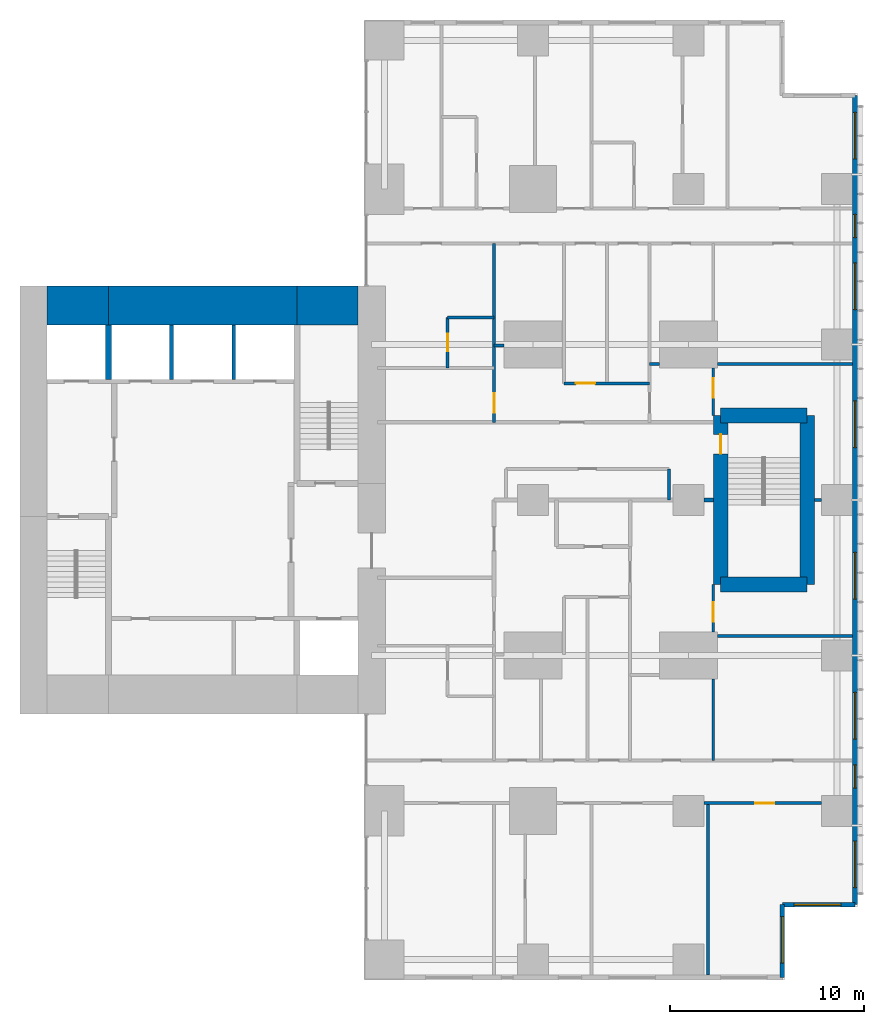
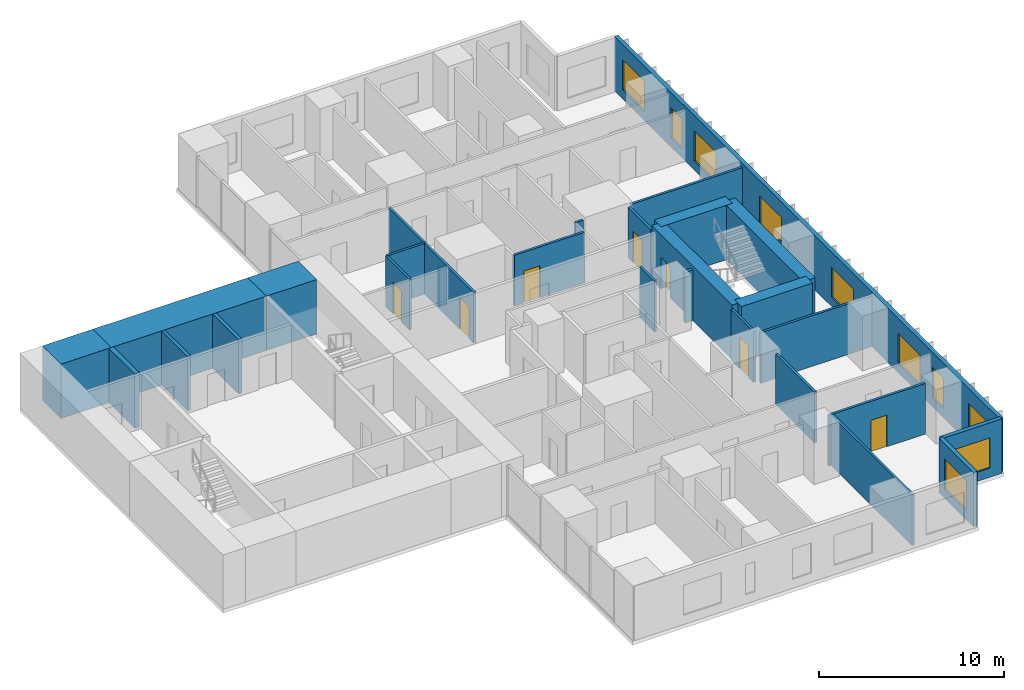
# One storey, part 9 of 12: 29 walls, 10 windows, 7 doors, 17 openings.
"""IFC4 building model written with IfcOpenShell, lengths in metres."""

import ifcopenshell
import ifcopenshell.guid

model = None  # the IFC model being written
_history = None  # IfcOwnerHistory: only IFC2X3 demands one
_inside = {}  # id of a spatial element -> (the spatial element, [elements in it])
_under = {}  # id of a project, library or spatial element -> (it, [spatial elements below it])
_declared = {}  # id of a project -> (the project, [libraries it declares])
_typed = {}  # id of a type object -> (the type object, [elements of that type])
_made_of = {}  # id of a material, layer set ... -> (it, [elements and type objects made of it])


def new_model(schema):
    """Start an empty IFC model of exactly this schema.

    Asked for "IFC4X3", IfcOpenShell would pick the latest addendum, in which some entities
    have other attributes; the version numbers below select the first issue.
    IFC2X3 requires an IfcOwnerHistory on every rooted entity: one is made here for all.
    """
    global model, _history
    if schema == "IFC4X3":
        model = ifcopenshell.file(schema_version=(4, 3, 0, 0))
    else:
        model = ifcopenshell.file(schema=schema)
    _inside.clear()
    _under.clear()
    _declared.clear()
    _typed.clear()
    _made_of.clear()
    _history = None
    if model.schema == "IFC2X3":
        org = make("IfcOrganization", Name="unknown")
        user = make(
            "IfcPersonAndOrganization",
            ThePerson=make("IfcPerson", FamilyName="unknown"),
            TheOrganization=org,
        )
        app = make(
            "IfcApplication",
            ApplicationDeveloper=org,
            Version="unknown",
            ApplicationFullName="unknown",
            ApplicationIdentifier="unknown",
        )
        _history = make(
            "IfcOwnerHistory",
            OwningUser=user,
            OwningApplication=app,
            ChangeAction="ADDED",
            CreationDate=0,
        )
    return model


def make(cls, **values):
    """One entity of the class cls with the attributes given. An attribute that is None is left unset."""
    return model.create_entity(
        cls, **{name: value for name, value in values.items() if value is not None}
    )


def rooted(cls, **values):
    """An entity with a GlobalId (a new one), such as an element, a storey or a relation."""
    return make(cls, GlobalId=ifcopenshell.guid.new(), OwnerHistory=_history, **values)


def si_unit(unit_type, name, prefix=None):
    """IfcSIUnit, for example si_unit("LENGTHUNIT", "METRE", prefix="MILLI")."""
    return make("IfcSIUnit", UnitType=unit_type, Prefix=prefix, Name=name)


def assignment(units):
    """IfcUnitAssignment: the units of a project."""
    return None if units is None else make("IfcUnitAssignment", Units=units)


def point(xyz):
    """IfcCartesianPoint."""
    return None if xyz is None else make("IfcCartesianPoint", Coordinates=xyz)


def direction(xyz):
    """IfcDirection."""
    return None if xyz is None else make("IfcDirection", DirectionRatios=xyz)


def frame(location, z_axis=None, x_axis=None):
    """IfcAxis2Placement3D, a coordinate frame: its origin and axes. An axis left out is left unset."""
    return make(
        "IfcAxis2Placement3D",
        Location=point(location),
        Axis=direction(z_axis),
        RefDirection=direction(x_axis),
    )


def frame_2d(location, x_axis=None):
    """IfcAxis2Placement2D, a coordinate frame in the plane: its origin and x axis."""
    return make(
        "IfcAxis2Placement2D", Location=point(location), RefDirection=direction(x_axis)
    )


def origin():
    """The frame at (0, 0, 0) with its axes left unset."""
    return frame((0.0, 0.0, 0.0))


def place(relative_to, where):
    """IfcLocalPlacement: puts the frame where relative to a parent placement (None: the world)."""
    return make(
        "IfcLocalPlacement", PlacementRelTo=relative_to, RelativePlacement=where
    )


def context(
    kind, dimensions, precision=None, world=None, true_north=None, identifier=None
):
    """IfcGeometricRepresentationContext, for example the 3D "Model" context."""
    return make(
        "IfcGeometricRepresentationContext",
        ContextIdentifier=identifier,
        ContextType=kind,
        CoordinateSpaceDimension=dimensions,
        Precision=precision,
        WorldCoordinateSystem=world,
        TrueNorth=true_north,
    )


def subcontext(parent, identifier, kind, view, scale=None):
    """IfcGeometricRepresentationSubContext, for example "Body" below "Model"."""
    return make(
        "IfcGeometricRepresentationSubContext",
        ContextIdentifier=identifier,
        ContextType=kind,
        ParentContext=parent,
        TargetScale=scale,
        TargetView=view,
    )


def project(units=None, contexts=None):
    """IfcProject with its units and contexts."""
    return rooted(
        "IfcProject",
        Name="project",
        RepresentationContexts=contexts,
        UnitsInContext=assignment(units),
    )


def spatial(cls, under=None, at=None, **own):
    """A site, building, storey or space (cls), placed at a placement, below another one or the project."""
    s = rooted(cls, ObjectPlacement=at, **own)
    if under is not None:
        _under.setdefault(under.id(), (under, []))[1].append(s)
    return s


def profile(cls, at=None, kind="AREA", **sizes):
    """A parametric profile (cls). Its sizes go by their IFC names, for example OverallWidth=200.0."""
    return make(cls, ProfileType=kind, Position=at, **sizes)


def rectangle(**sizes):
    """IfcRectangleProfileDef."""
    return profile("IfcRectangleProfileDef", **sizes)


def extrude(swept, where, along, depth):
    """IfcExtrudedAreaSolid: the profile swept, set in the frame where, extruded along a direction by depth."""
    return make(
        "IfcExtrudedAreaSolid",
        SweptArea=swept,
        Position=where,
        ExtrudedDirection=direction(along),
        Depth=depth,
    )


def shape(context_of_items, identifier, shape_type, items):
    """IfcShapeRepresentation: the items that make up one representation, for example the "Body"."""
    return make(
        "IfcShapeRepresentation",
        ContextOfItems=context_of_items,
        RepresentationIdentifier=identifier,
        RepresentationType=shape_type,
        Items=items,
    )


def material(Name=None, Category=None):
    """IfcMaterial."""
    return make("IfcMaterial", Name=Name, Category=Category)


def layer(
    of_material, thickness, ventilated=None, Name=None, Category=None, Priority=None
):
    """IfcMaterialLayer: one layer of a wall or slab, of a material (None: an air gap)."""
    return make(
        "IfcMaterialLayer",
        Material=of_material,
        LayerThickness=thickness,
        IsVentilated=ventilated,
        Name=Name,
        Category=Category,
        Priority=Priority,
    )


def layer_set(layers, Name=None):
    """IfcMaterialLayerSet."""
    return make("IfcMaterialLayerSet", MaterialLayers=layers, LayerSetName=Name)


def made_of(thing, what):
    """Note that an element or type object is made of a material, layer set ...; save() writes the relation."""
    if what is not None:
        _made_of.setdefault(what.id(), (what, []))[1].append(thing)
    return thing


def type_object(cls, material=None, **own):
    """A type object (cls), such as IfcWallType, which elements share."""
    return made_of(rooted(cls, **own), material)


def element(
    cls,
    number,
    at=None,
    inside=None,
    cuts=None,
    type_object=None,
    material=None,
    context=None,
    identifier="Body",
    shape_type=None,
    held_by="IfcProductDefinitionShape",
    body=None,
    shapes=None,
    **own,
):
    """One element of the class cls, such as IfcWall. Its Tag is "e" and its number.

    at: its placement. inside: the storey or other place that contains it. cuts: it is an
    opening in that element (IfcRelVoidsElement). A single representation is given by context,
    identifier, shape_type and body (its items); several are given by shapes. held_by: the class
    of the entity that holds the representations. save() writes the other relations.
    """
    e = rooted(cls, Tag="e%d" % number, ObjectPlacement=at, **own)
    if body is not None:
        shapes = [shape(context, identifier, shape_type, body)]
    if shapes is not None:
        e.Representation = make(held_by, Representations=shapes)
    if inside is not None:
        _inside.setdefault(inside.id(), (inside, []))[1].append(e)
    if cuts is not None:
        rooted(
            "IfcRelVoidsElement", RelatingBuildingElement=cuts, RelatedOpeningElement=e
        )
    if type_object is not None:
        _typed.setdefault(type_object.id(), (type_object, []))[1].append(e)
    return made_of(e, material)


def fill(opening, filler):
    """IfcRelFillsElement: the door or window that sits in an opening."""
    return rooted(
        "IfcRelFillsElement",
        RelatingOpeningElement=opening,
        RelatedBuildingElement=filler,
    )


def aggregate(whole, parts):
    """IfcRelAggregates: a whole, such as a stair, and the parts it consists of."""
    return rooted("IfcRelAggregates", RelatingObject=whole, RelatedObjects=parts)


def save(model, path):
    """Write the relations noted so far, then the file.

    IfcRelAggregates (storeys below a building ...), IfcRelContainedInSpatialStructure (elements
    in a storey), IfcRelDefinesByType, IfcRelAssociatesMaterial and IfcRelDeclares: one each for
    every whole, place, type object, material and project.
    """
    for whole, parts in _under.values():
        aggregate(whole, parts)
    for where, things in _inside.values():
        rooted(
            "IfcRelContainedInSpatialStructure",
            RelatedElements=things,
            RelatingStructure=where,
        )
    for kind, things in _typed.values():
        rooted("IfcRelDefinesByType", RelatedObjects=things, RelatingType=kind)
    for what, things in _made_of.values():
        rooted("IfcRelAssociatesMaterial", RelatedObjects=things, RelatingMaterial=what)
    for by, libraries in _declared.values():
        rooted("IfcRelDeclares", RelatingContext=by, RelatedDefinitions=libraries)
    model.write(path)


model = new_model("IFC4")

# Units and contexts
model_context = context("Model", 3, precision=1e-05, world=origin(), true_north=direction((0.0, 1.0)))
body_context = subcontext(model_context, "Body", "Model", "MODEL_VIEW")
ifc_project = project(units=[si_unit("LENGTHUNIT", "METRE"), si_unit("AREAUNIT", "SQUARE_METRE"), si_unit("VOLUMEUNIT", "CUBIC_METRE"), si_unit("PLANEANGLEUNIT", "RADIAN"), si_unit("MASSUNIT", "GRAM", prefix="KILO")], contexts=[model_context])

# Site, building, storey
site_placement = place(None, origin())
site = spatial("IfcSite", under=ifc_project, at=site_placement, CompositionType="ELEMENT")
building_placement = place(site_placement, origin())
building = spatial("IfcBuilding", under=site, at=building_placement, Name="Cleftline Residences", CompositionType="ELEMENT")
storey_placement = place(building_placement, frame((0.0, 0.0, 241.199951171875)))
storey = spatial("IfcBuildingStorey", under=building, at=storey_placement, Name="L63", CompositionType="ELEMENT", Elevation=241.199951171875)

# Walls
ifc_material_1 = material(Name="Concrete B70", Category="concrete")
ifc_layer_1 = layer(ifc_material_1, 2.0)
ifc_layer_set_1 = layer_set([ifc_layer_1], Name="CORE WALL 2000")
wall_type_1 = type_object("IfcWallType", Name="CORE WALL 2000", PredefinedType="SHEAR", material=ifc_layer_set_1)
wall_1_placement = place(storey_placement, frame((25.0, 34.0, 0.0), z_axis=(0.0, 0.0, 1.0), x_axis=(1.0, 0.0, 0.0)))
element("IfcWall", 1, at=wall_1_placement, inside=storey, type_object=wall_type_1, Name="Core wall N1", PredefinedType="SHEAR", context=body_context, shape_type="SweptSolid", body=[
    extrude(rectangle(XDim=3.14990234375, YDim=2.0, at=frame_2d((1.574951171875, 0.0))), origin(), (0.0, 0.0, 1.0), 3.60009765625),
])
wall_2_placement = place(storey_placement, frame((28.14990234375, 34.0, 0.0), z_axis=(0.0, 0.0, 1.0), x_axis=(1.0, 0.0, 0.0)))
element("IfcWall", 2, at=wall_2_placement, inside=storey, type_object=wall_type_1, Name="Core wall N2", PredefinedType="SHEAR", context=body_context, shape_type="SweptSolid", body=[
    extrude(rectangle(XDim=9.7001953125, YDim=2.0, at=frame_2d((4.85009765625, 0.0))), origin(), (0.0, 0.0, 1.0), 3.60009765625),
])
wall_3_placement = place(storey_placement, frame((37.85009765625, 34.0, 0.0), z_axis=(0.0, 0.0, 1.0), x_axis=(1.0, 0.0, 0.0)))
element("IfcWall", 3, at=wall_3_placement, inside=storey, type_object=wall_type_1, Name="Core wall N3", PredefinedType="SHEAR", context=body_context, shape_type="SweptSolid", body=[
    extrude(rectangle(XDim=3.14990234375, YDim=2.0, at=frame_2d((1.574951171875, 0.0))), origin(), (0.0, 0.0, 1.0), 3.60009765625),
])
ifc_material_2 = material(Name="Concrete B70", Category="concrete")
ifc_layer_2 = layer(ifc_material_2, 0.300048828125)
ifc_layer_set_2 = layer_set([ifc_layer_2], Name="CORE WALL 300")
wall_type_2 = type_object("IfcWallType", Name="CORE WALL 300", PredefinedType="SHEAR", material=ifc_layer_set_2)
wall_4_placement = place(storey_placement, frame((28.14990234375, 30.199951171875, 0.0), z_axis=(0.0, 0.0, 1.0), x_axis=(0.0, 1.0, 0.0)))
element("IfcWall", 4, at=wall_4_placement, inside=storey, type_object=wall_type_2, Name="Lift shaft wall", PredefinedType="SHEAR", context=body_context, shape_type="SweptSolid", body=[
    extrude(rectangle(XDim=2.800048828125, YDim=0.300048828125, at=frame_2d((1.39990234375, 0.0))), origin(), (0.0, 0.0, 1.0), 3.60009765625),
])

# Wall, opening, window
ifc_material_3 = material(Name="Rendered reinforced concrete blockwork", Category="masonry")
ifc_layer_3 = layer(ifc_material_3, 0.25)
ifc_layer_set_3 = layer_set([ifc_layer_3], Name="EXTERNAL WALL 250")
wall_type_3 = type_object("IfcWallType", Name="EXTERNAL WALL 250", PredefinedType="SOLIDWALL", material=ifc_layer_set_3)
wall_5_placement = place(storey_placement, frame((62.824951171875, -0.574951171875, 0.0), z_axis=(0.0, 0.0, 1.0), x_axis=(0.0, 1.0, 0.0)))
wall_5 = element("IfcWall", 5, at=wall_5_placement, inside=storey, type_object=wall_type_3, Name="External wall", PredefinedType="SOLIDWALL", context=body_context, shape_type="SweptSolid", body=[
    extrude(rectangle(XDim=3.75, YDim=0.25, at=frame_2d((1.875, 0.0))), origin(), (0.0, 0.0, 1.0), 3.60009765625),
])
opening_1_placement = place(wall_5_placement, frame((0.737548828125, 0.0, 0.60009765625)))
opening_1 = element("IfcOpeningElement", 6, at=opening_1_placement, cuts=wall_5, Name="Opening W6", PredefinedType="OPENING", context=body_context, shape_type="SweptSolid", body=[
    extrude(rectangle(XDim=2.39990234375, YDim=2.0, at=frame_2d((1.199951171875, 1.0))), frame((0.0, 0.135009765625, 0.0), z_axis=(0.0, -1.0, 0.0), x_axis=(1.0, 0.0, 0.0)), (0.0, 0.0, 1.0), 0.27001953125),
])
ifc_material_4 = material(Name="Aluminium frame, clear double glazing", Category="aluminium")
window_type_1 = type_object("IfcWindowType", Name="WINDOW 2400X2000", PartitioningType="DOUBLE_PANEL_VERTICAL", PredefinedType="WINDOW", material=ifc_material_4)
window_1_placement = place(opening_1_placement, origin())
window_1 = element("IfcWindow", 7, at=window_1_placement, inside=storey, type_object=window_type_1, Name="Window", OverallHeight=2.0, OverallWidth=2.39990234375, PartitioningType="SINGLE_PANEL", PredefinedType="WINDOW", context=body_context, shape_type="SweptSolid", body=[
    extrude(rectangle(XDim=2.39990234375, YDim=2.0, at=frame_2d((1.199951171875, 1.0))), frame((0.0, 0.030029296875, 0.0), z_axis=(0.0, -1.0, 0.0), x_axis=(1.0, 0.0, 0.0)), (0.0, 0.0, 1.0), 0.06005859375),
])
fill(opening_1, window_1)

wall_6_placement = place(storey_placement, frame((62.824951171875, 3.175048828125, 0.0), z_axis=(0.0, 0.0, 1.0), x_axis=(1.0, 0.0, 0.0)))
wall_6 = element("IfcWall", 8, at=wall_6_placement, inside=storey, type_object=wall_type_3, Name="External wall", PredefinedType="SOLIDWALL", context=body_context, shape_type="SweptSolid", body=[
    extrude(rectangle(XDim=3.75, YDim=0.25, at=frame_2d((1.875, 0.0))), origin(), (0.0, 0.0, 1.0), 3.60009765625),
])
opening_2_placement = place(wall_6_placement, frame((0.612548828125, 0.0, 0.60009765625)))
opening_2 = element("IfcOpeningElement", 9, at=opening_2_placement, cuts=wall_6, Name="Opening W6", PredefinedType="OPENING", context=body_context, shape_type="SweptSolid", body=[
    extrude(rectangle(XDim=2.39990234375, YDim=2.0, at=frame_2d((1.199951171875, 1.0))), frame((0.0, 0.135009765625, 0.0), z_axis=(0.0, -1.0, 0.0), x_axis=(1.0, 0.0, 0.0)), (0.0, 0.0, 1.0), 0.27001953125),
])
window_2_placement = place(opening_2_placement, origin())
window_2 = element("IfcWindow", 10, at=window_2_placement, inside=storey, type_object=window_type_1, Name="Window", OverallHeight=2.0, OverallWidth=2.39990234375, PartitioningType="SINGLE_PANEL", PredefinedType="WINDOW", context=body_context, shape_type="SweptSolid", body=[
    extrude(rectangle(XDim=2.39990234375, YDim=2.0, at=frame_2d((1.199951171875, 1.0))), frame((0.0, 0.030029296875, 0.0), z_axis=(0.0, -1.0, 0.0), x_axis=(1.0, 0.0, 0.0)), (0.0, 0.0, 1.0), 0.06005859375),
])
fill(opening_2, window_2)

# Wall, openings, windows
wall_7_placement = place(storey_placement, frame((66.574951171875, 3.175048828125, 0.0), z_axis=(0.0, 0.0, 1.0), x_axis=(0.0, 1.0, 0.0)))
wall_7 = element("IfcWall", 11, at=wall_7_placement, inside=storey, type_object=wall_type_3, Name="External wall", PredefinedType="SOLIDWALL", context=body_context, shape_type="SweptSolid", body=[
    extrude(rectangle(XDim=41.64990234375, YDim=0.25, at=frame_2d((20.824951171875, 0.0))), origin(), (0.0, 0.0, 1.0), 3.60009765625),
])
opening_3_placement = place(wall_7_placement, frame((0.875, 0.0, 0.60009765625)))
opening_3 = element("IfcOpeningElement", 12, at=opening_3_placement, cuts=wall_7, Name="Opening W6", PredefinedType="OPENING", context=body_context, shape_type="SweptSolid", body=[
    extrude(rectangle(XDim=2.39990234375, YDim=2.0, at=frame_2d((1.199951171875, 1.0))), frame((0.0, 0.135009765625, 0.0), z_axis=(0.0, -1.0, 0.0), x_axis=(1.0, 0.0, 0.0)), (0.0, 0.0, 1.0), 0.27001953125),
])
opening_4_placement = place(wall_7_placement, frame((6.0, 0.0, 0.60009765625)))
opening_4 = element("IfcOpeningElement", 13, at=opening_4_placement, cuts=wall_7, Name="Opening W8", PredefinedType="OPENING", context=body_context, shape_type="SweptSolid", body=[
    extrude(rectangle(XDim=1.199951171875, YDim=2.0, at=frame_2d((0.60009765625, 1.0))), frame((0.0, 0.135009765625, 0.0), z_axis=(0.0, -1.0, 0.0), x_axis=(1.0, 0.0, 0.0)), (0.0, 0.0, 1.0), 0.27001953125),
])
opening_5_placement = place(wall_7_placement, frame((8.52490234375, 0.0, 0.60009765625)))
opening_5 = element("IfcOpeningElement", 14, at=opening_5_placement, cuts=wall_7, Name="Opening W6", PredefinedType="OPENING", context=body_context, shape_type="SweptSolid", body=[
    extrude(rectangle(XDim=2.39990234375, YDim=2.0, at=frame_2d((1.199951171875, 1.0))), frame((0.0, 0.135009765625, 0.0), z_axis=(0.0, -1.0, 0.0), x_axis=(1.0, 0.0, 0.0)), (0.0, 0.0, 1.0), 0.27001953125),
])
opening_6_placement = place(wall_7_placement, frame((15.72509765625, 0.0, 0.60009765625)))
opening_6 = element("IfcOpeningElement", 15, at=opening_6_placement, cuts=wall_7, Name="Opening W6", PredefinedType="OPENING", context=body_context, shape_type="SweptSolid", body=[
    extrude(rectangle(XDim=2.39990234375, YDim=2.0, at=frame_2d((1.199951171875, 1.0))), frame((0.0, 0.135009765625, 0.0), z_axis=(0.0, -1.0, 0.0), x_axis=(1.0, 0.0, 0.0)), (0.0, 0.0, 1.0), 0.27001953125),
])
opening_7_placement = place(wall_7_placement, frame((23.52490234375, 0.0, 0.60009765625)))
opening_7 = element("IfcOpeningElement", 16, at=opening_7_placement, cuts=wall_7, Name="Opening W6", PredefinedType="OPENING", context=body_context, shape_type="SweptSolid", body=[
    extrude(rectangle(XDim=2.39990234375, YDim=2.0, at=frame_2d((1.199951171875, 1.0))), frame((0.0, 0.135009765625, 0.0), z_axis=(0.0, -1.0, 0.0), x_axis=(1.0, 0.0, 0.0)), (0.0, 0.0, 1.0), 0.27001953125),
])
opening_8_placement = place(wall_7_placement, frame((30.625, 0.0, 0.60009765625)))
opening_8 = element("IfcOpeningElement", 17, at=opening_8_placement, cuts=wall_7, Name="Opening W6", PredefinedType="OPENING", context=body_context, shape_type="SweptSolid", body=[
    extrude(rectangle(XDim=2.39990234375, YDim=2.0, at=frame_2d((1.199951171875, 1.0))), frame((0.0, 0.135009765625, 0.0), z_axis=(0.0, -1.0, 0.0), x_axis=(1.0, 0.0, 0.0)), (0.0, 0.0, 1.0), 0.27001953125),
])
opening_9_placement = place(wall_7_placement, frame((34.324951171875, 0.0, 0.60009765625)))
opening_9 = element("IfcOpeningElement", 18, at=opening_9_placement, cuts=wall_7, Name="Opening W8", PredefinedType="OPENING", context=body_context, shape_type="SweptSolid", body=[
    extrude(rectangle(XDim=1.199951171875, YDim=2.0, at=frame_2d((0.60009765625, 1.0))), frame((0.0, 0.135009765625, 0.0), z_axis=(0.0, -1.0, 0.0), x_axis=(1.0, 0.0, 0.0)), (0.0, 0.0, 1.0), 0.27001953125),
])
opening_10_placement = place(wall_7_placement, frame((38.375, 0.0, 0.60009765625)))
opening_10 = element("IfcOpeningElement", 19, at=opening_10_placement, cuts=wall_7, Name="Opening W6", PredefinedType="OPENING", context=body_context, shape_type="SweptSolid", body=[
    extrude(rectangle(XDim=2.39990234375, YDim=2.0, at=frame_2d((1.199951171875, 1.0))), frame((0.0, 0.135009765625, 0.0), z_axis=(0.0, -1.0, 0.0), x_axis=(1.0, 0.0, 0.0)), (0.0, 0.0, 1.0), 0.27001953125),
])
ifc_material_5 = material(Name="Aluminium frame, clear double glazing", Category="aluminium")
window_type_2 = type_object("IfcWindowType", Name="WINDOW 1200X2000", PartitioningType="DOUBLE_PANEL_VERTICAL", PredefinedType="WINDOW", material=ifc_material_5)
window_3_placement = place(opening_4_placement, origin())
window_3 = element("IfcWindow", 20, at=window_3_placement, inside=storey, type_object=window_type_2, Name="Window", OverallHeight=2.0, OverallWidth=1.199951171875, PartitioningType="SINGLE_PANEL", PredefinedType="WINDOW", context=body_context, shape_type="SweptSolid", body=[
    extrude(rectangle(XDim=1.199951171875, YDim=2.0, at=frame_2d((0.60009765625, 1.0))), frame((0.0, 0.030029296875, 0.0), z_axis=(0.0, -1.0, 0.0), x_axis=(1.0, 0.0, 0.0)), (0.0, 0.0, 1.0), 0.06005859375),
])
fill(opening_4, window_3)
window_4_placement = place(opening_9_placement, origin())
window_4 = element("IfcWindow", 21, at=window_4_placement, inside=storey, type_object=window_type_2, Name="Window", OverallHeight=2.0, OverallWidth=1.199951171875, PartitioningType="SINGLE_PANEL", PredefinedType="WINDOW", context=body_context, shape_type="SweptSolid", body=[
    extrude(rectangle(XDim=1.199951171875, YDim=2.0, at=frame_2d((0.60009765625, 1.0))), frame((0.0, 0.030029296875, 0.0), z_axis=(0.0, -1.0, 0.0), x_axis=(1.0, 0.0, 0.0)), (0.0, 0.0, 1.0), 0.06005859375),
])
fill(opening_9, window_4)
window_5_placement = place(opening_3_placement, origin())
window_5 = element("IfcWindow", 22, at=window_5_placement, inside=storey, type_object=window_type_1, Name="Window", OverallHeight=2.0, OverallWidth=2.39990234375, PartitioningType="SINGLE_PANEL", PredefinedType="WINDOW", context=body_context, shape_type="SweptSolid", body=[
    extrude(rectangle(XDim=2.39990234375, YDim=2.0, at=frame_2d((1.199951171875, 1.0))), frame((0.0, 0.030029296875, 0.0), z_axis=(0.0, -1.0, 0.0), x_axis=(1.0, 0.0, 0.0)), (0.0, 0.0, 1.0), 0.06005859375),
])
fill(opening_3, window_5)
window_6_placement = place(opening_5_placement, origin())
window_6 = element("IfcWindow", 23, at=window_6_placement, inside=storey, type_object=window_type_1, Name="Window", OverallHeight=2.0, OverallWidth=2.39990234375, PartitioningType="SINGLE_PANEL", PredefinedType="WINDOW", context=body_context, shape_type="SweptSolid", body=[
    extrude(rectangle(XDim=2.39990234375, YDim=2.0, at=frame_2d((1.199951171875, 1.0))), frame((0.0, 0.030029296875, 0.0), z_axis=(0.0, -1.0, 0.0), x_axis=(1.0, 0.0, 0.0)), (0.0, 0.0, 1.0), 0.06005859375),
])
fill(opening_5, window_6)
window_7_placement = place(opening_6_placement, origin())
window_7 = element("IfcWindow", 24, at=window_7_placement, inside=storey, type_object=window_type_1, Name="Window", OverallHeight=2.0, OverallWidth=2.39990234375, PartitioningType="SINGLE_PANEL", PredefinedType="WINDOW", context=body_context, shape_type="SweptSolid", body=[
    extrude(rectangle(XDim=2.39990234375, YDim=2.0, at=frame_2d((1.199951171875, 1.0))), frame((0.0, 0.030029296875, 0.0), z_axis=(0.0, -1.0, 0.0), x_axis=(1.0, 0.0, 0.0)), (0.0, 0.0, 1.0), 0.06005859375),
])
fill(opening_6, window_7)
window_8_placement = place(opening_7_placement, origin())
window_8 = element("IfcWindow", 25, at=window_8_placement, inside=storey, type_object=window_type_1, Name="Window", OverallHeight=2.0, OverallWidth=2.39990234375, PartitioningType="SINGLE_PANEL", PredefinedType="WINDOW", context=body_context, shape_type="SweptSolid", body=[
    extrude(rectangle(XDim=2.39990234375, YDim=2.0, at=frame_2d((1.199951171875, 1.0))), frame((0.0, 0.030029296875, 0.0), z_axis=(0.0, -1.0, 0.0), x_axis=(1.0, 0.0, 0.0)), (0.0, 0.0, 1.0), 0.06005859375),
])
fill(opening_7, window_8)
window_9_placement = place(opening_8_placement, origin())
window_9 = element("IfcWindow", 26, at=window_9_placement, inside=storey, type_object=window_type_1, Name="Window", OverallHeight=2.0, OverallWidth=2.39990234375, PartitioningType="SINGLE_PANEL", PredefinedType="WINDOW", context=body_context, shape_type="SweptSolid", body=[
    extrude(rectangle(XDim=2.39990234375, YDim=2.0, at=frame_2d((1.199951171875, 1.0))), frame((0.0, 0.030029296875, 0.0), z_axis=(0.0, -1.0, 0.0), x_axis=(1.0, 0.0, 0.0)), (0.0, 0.0, 1.0), 0.06005859375),
])
fill(opening_8, window_9)
window_10_placement = place(opening_10_placement, origin())
window_10 = element("IfcWindow", 27, at=window_10_placement, inside=storey, type_object=window_type_1, Name="Window", OverallHeight=2.0, OverallWidth=2.39990234375, PartitioningType="SINGLE_PANEL", PredefinedType="WINDOW", context=body_context, shape_type="SweptSolid", body=[
    extrude(rectangle(XDim=2.39990234375, YDim=2.0, at=frame_2d((1.199951171875, 1.0))), frame((0.0, 0.030029296875, 0.0), z_axis=(0.0, -1.0, 0.0), x_axis=(1.0, 0.0, 0.0)), (0.0, 0.0, 1.0), 0.06005859375),
])
fill(opening_10, window_10)

# Wall
ifc_material_6 = material(Name="Concrete blockwork, fire rated", Category="masonry")
ifc_layer_4 = layer(ifc_material_6, 0.199951171875)
ifc_layer_set_4 = layer_set([ifc_layer_4], Name="FIRE WALL 200")
wall_type_4 = type_object("IfcWallType", Name="FIRE WALL 200", PredefinedType="PARTITIONING", material=ifc_layer_set_4)
wall_8_placement = place(storey_placement, frame((58.800048828125, 24.0, 0.0), z_axis=(0.0, 0.0, 1.0), x_axis=(1.0, 0.0, 0.0)))
element("IfcWall", 28, at=wall_8_placement, inside=storey, type_object=wall_type_4, Name="Fire separating wall", PredefinedType="PARTITIONING", context=body_context, shape_type="SweptSolid", body=[
    extrude(rectangle(XDim=0.474853515625, YDim=0.199951171875, at=frame_2d((0.2373046875, 0.0))), origin(), (0.0, 0.0, 1.0), 3.35009765625),
])

# Wall, opening, door
ifc_material_7 = material(Name="Gypsum board on steel studs", Category="steel")
ifc_layer_5 = layer(ifc_material_7, 0.14990234375)
ifc_layer_set_5 = layer_set([ifc_layer_5], Name="PARTITION 150")
wall_type_5 = type_object("IfcWallType", Name="PARTITION 150", PredefinedType="PARTITIONING", material=ifc_layer_set_5)
wall_9_placement = place(storey_placement, frame((58.800048828125, 8.39990234375, 0.0), z_axis=(0.0, 0.0, 1.0), x_axis=(1.0, 0.0, 0.0)))
wall_9 = element("IfcWall", 29, at=wall_9_placement, inside=storey, type_object=wall_type_5, Name="Partition", PredefinedType="PARTITIONING", context=body_context, shape_type="SweptSolid", body=[
    extrude(rectangle(XDim=6.050048828125, YDim=0.14990234375, at=frame_2d((3.02490234375, 0.0))), origin(), (0.0, 0.0, 1.0), 3.35009765625),
])
opening_11_placement = place(wall_9_placement, frame((2.625, 0.0, 0.0)))
opening_11 = element("IfcOpeningElement", 30, at=opening_11_placement, cuts=wall_9, Name="Opening D2", PredefinedType="OPENING", context=body_context, shape_type="SweptSolid", body=[
    extrude(rectangle(XDim=1.0, YDim=2.10009765625, at=frame_2d((0.5, 1.050048828125))), frame((0.0, 0.0849609375, 0.0), z_axis=(0.0, -1.0, 0.0), x_axis=(1.0, 0.0, 0.0)), (0.0, 0.0, 1.0), 0.169921875),
])
ifc_material_8 = material(Name="Timber veneer on solid core", Category="wood")
door_type_1 = type_object("IfcDoorType", Name="DOOR 1000X2100", OperationType="SINGLE_SWING_LEFT", PredefinedType="DOOR", material=ifc_material_8)
door_1_placement = place(opening_11_placement, origin())
door_1 = element("IfcDoor", 31, at=door_1_placement, inside=storey, type_object=door_type_1, Name="Door to music room", OperationType="SINGLE_SWING_LEFT", OverallHeight=2.10009765625, OverallWidth=1.0, PredefinedType="DOOR", context=body_context, shape_type="SweptSolid", body=[
    extrude(rectangle(XDim=1.0, YDim=2.10009765625, at=frame_2d((0.5, 1.050048828125))), frame((0.0, 0.02490234375, 0.0), z_axis=(0.0, -1.0, 0.0), x_axis=(1.0, 0.0, 0.0)), (0.0, 0.0, 1.0), 0.050048828125),
])
fill(opening_11, door_1)

# Walls
wall_10_placement = place(storey_placement, frame((59.5, 17.0, 0.0), z_axis=(0.0, 0.0, 1.0), x_axis=(1.0, 0.0, 0.0)))
element("IfcWall", 32, at=wall_10_placement, inside=storey, type_object=wall_type_5, Name="Partition", PredefinedType="PARTITIONING", context=body_context, shape_type="SweptSolid", body=[
    extrude(rectangle(XDim=6.949951171875, YDim=0.14990234375, at=frame_2d((3.47509765625, 0.0))), origin(), (0.0, 0.0, 1.0), 3.35009765625),
])
wall_11_placement = place(storey_placement, frame((64.47509765625, 24.0, 0.0), z_axis=(0.0, 0.0, 1.0), x_axis=(1.0, 0.0, 0.0)))
element("IfcWall", 33, at=wall_11_placement, inside=storey, type_object=wall_type_5, Name="Partition", PredefinedType="PARTITIONING", context=body_context, shape_type="SweptSolid", body=[
    extrude(rectangle(XDim=0.375, YDim=0.14990234375, at=frame_2d((0.1875, 0.0))), origin(), (0.0, 0.0, 1.0), 3.35009765625),
])

# Wall, opening, door
wall_12_placement = place(storey_placement, frame((51.60009765625, 30.0, 0.0), z_axis=(0.0, 0.0, 1.0), x_axis=(1.0, 0.0, 0.0)))
wall_12 = element("IfcWall", 34, at=wall_12_placement, inside=storey, type_object=wall_type_5, Name="Partition", PredefinedType="PARTITIONING", context=body_context, shape_type="SweptSolid", body=[
    extrude(rectangle(XDim=4.39990234375, YDim=0.14990234375, at=frame_2d((2.199951171875, 0.0))), origin(), (0.0, 0.0, 1.0), 3.35009765625),
])
opening_12_placement = place(wall_12_placement, frame((0.60009765625, 0.0, 0.0)))
opening_12 = element("IfcOpeningElement", 35, at=opening_12_placement, cuts=wall_12, Name="Opening D2", PredefinedType="OPENING", context=body_context, shape_type="SweptSolid", body=[
    extrude(rectangle(XDim=1.0, YDim=2.10009765625, at=frame_2d((0.5, 1.050048828125))), frame((0.0, 0.0849609375, 0.0), z_axis=(0.0, -1.0, 0.0), x_axis=(1.0, 0.0, 0.0)), (0.0, 0.0, 1.0), 0.169921875),
])
door_2_placement = place(opening_12_placement, origin())
door_2 = element("IfcDoor", 36, at=door_2_placement, inside=storey, type_object=door_type_1, Name="Door to residence passage", OperationType="SINGLE_SWING_RIGHT", OverallHeight=2.10009765625, OverallWidth=1.0, PredefinedType="DOOR", context=body_context, shape_type="SweptSolid", body=[
    extrude(rectangle(XDim=1.0, YDim=2.10009765625, at=frame_2d((0.5, 1.050048828125))), frame((0.0, 0.02490234375, 0.0), z_axis=(0.0, -1.0, 0.0), x_axis=(1.0, 0.0, 0.0)), (0.0, 0.0, 1.0), 0.050048828125),
])
fill(opening_12, door_2)

# Walls
wall_13_placement = place(storey_placement, frame((56.0, 31.0, 0.0), z_axis=(0.0, 0.0, 1.0), x_axis=(1.0, 0.0, 0.0)))
element("IfcWall", 37, at=wall_13_placement, inside=storey, type_object=wall_type_5, Name="Partition", PredefinedType="PARTITIONING", context=body_context, shape_type="SweptSolid", body=[
    extrude(rectangle(XDim=0.5, YDim=0.14990234375, at=frame_2d((0.25, 0.0))), origin(), (0.0, 0.0, 1.0), 3.35009765625),
])
wall_14_placement = place(storey_placement, frame((59.5, 31.0, 0.0), z_axis=(0.0, 0.0, 1.0), x_axis=(1.0, 0.0, 0.0)))
element("IfcWall", 38, at=wall_14_placement, inside=storey, type_object=wall_type_5, Name="Partition", PredefinedType="PARTITIONING", context=body_context, shape_type="SweptSolid", body=[
    extrude(rectangle(XDim=6.949951171875, YDim=0.14990234375, at=frame_2d((3.47509765625, 0.0))), origin(), (0.0, 0.0, 1.0), 3.35009765625),
])
wall_15_placement = place(storey_placement, frame((48.0, 31.949951171875, 0.0), z_axis=(0.0, 0.0, 1.0), x_axis=(1.0, 0.0, 0.0)))
element("IfcWall", 39, at=wall_15_placement, inside=storey, type_object=wall_type_5, Name="Partition", PredefinedType="PARTITIONING", context=body_context, shape_type="SweptSolid", body=[
    extrude(rectangle(XDim=0.5, YDim=0.14990234375, at=frame_2d((0.25, 0.0))), origin(), (0.0, 0.0, 1.0), 2.634033203125),
])
wall_16_placement = place(storey_placement, frame((45.60009765625, 33.39990234375, 0.0), z_axis=(0.0, 0.0, 1.0), x_axis=(1.0, 0.0, 0.0)))
element("IfcWall", 40, at=wall_16_placement, inside=storey, type_object=wall_type_5, Name="Partition", PredefinedType="PARTITIONING", context=body_context, shape_type="SweptSolid", body=[
    extrude(rectangle(XDim=2.39990234375, YDim=0.14990234375, at=frame_2d((1.199951171875, 0.0))), origin(), (0.0, 0.0, 1.0), 3.35009765625),
])

# Wall, opening, door
wall_17_placement = place(storey_placement, frame((45.60009765625, 30.800048828125, 0.0), z_axis=(0.0, 0.0, 1.0), x_axis=(0.0, 1.0, 0.0)))
wall_17 = element("IfcWall", 41, at=wall_17_placement, inside=storey, type_object=wall_type_5, Name="Partition", PredefinedType="PARTITIONING", context=body_context, shape_type="SweptSolid", body=[
    extrude(rectangle(XDim=2.599853515625, YDim=0.14990234375, at=frame_2d((1.2998046875, 0.0))), origin(), (0.0, 0.0, 1.0), 3.35009765625),
])
opening_13_placement = place(wall_17_placement, frame((0.85009765625, 0.0, 0.0)))
opening_13 = element("IfcOpeningElement", 42, at=opening_13_placement, cuts=wall_17, Name="Opening D1", PredefinedType="OPENING", context=body_context, shape_type="SweptSolid", body=[
    extrude(rectangle(XDim=0.89990234375, YDim=2.10009765625, at=frame_2d((0.449951171875, 1.050048828125))), frame((0.0, 0.0849609375, 0.0), z_axis=(0.0, -1.0, 0.0), x_axis=(1.0, 0.0, 0.0)), (0.0, 0.0, 1.0), 0.169921875),
])
ifc_material_9 = material(Name="Timber veneer on solid core", Category="wood")
door_type_2 = type_object("IfcDoorType", Name="DOOR 900X2100", OperationType="SINGLE_SWING_LEFT", PredefinedType="DOOR", material=ifc_material_9)
door_3_placement = place(opening_13_placement, origin())
door_3 = element("IfcDoor", 43, at=door_3_placement, inside=storey, type_object=door_type_2, Name="Door to en-suite bathroom 4", OperationType="SINGLE_SWING_LEFT", OverallHeight=2.10009765625, OverallWidth=0.89990234375, PredefinedType="DOOR", context=body_context, shape_type="SweptSolid", body=[
    extrude(rectangle(XDim=0.89990234375, YDim=2.10009765625, at=frame_2d((0.449951171875, 1.050048828125))), frame((0.0, 0.02490234375, 0.0), z_axis=(0.0, -1.0, 0.0), x_axis=(1.0, 0.0, 0.0)), (0.0, 0.0, 1.0), 0.050048828125),
])
fill(opening_13, door_3)

wall_18_placement = place(storey_placement, frame((48.0, 28.0, 0.0), z_axis=(0.0, 0.0, 1.0), x_axis=(0.0, 1.0, 0.0)))
wall_18 = element("IfcWall", 44, at=wall_18_placement, inside=storey, type_object=wall_type_5, Name="Partition", PredefinedType="PARTITIONING", context=body_context, shape_type="SweptSolid", body=[
    extrude(rectangle(XDim=9.199951171875, YDim=0.14990234375, at=frame_2d((4.60009765625, 0.0))), origin(), (0.0, 0.0, 1.0), 3.35009765625),
])
opening_14_placement = place(wall_18_placement, frame((0.5, 0.0, 0.0)))
opening_14 = element("IfcOpeningElement", 45, at=opening_14_placement, cuts=wall_18, Name="Opening D2", PredefinedType="OPENING", context=body_context, shape_type="SweptSolid", body=[
    extrude(rectangle(XDim=1.0, YDim=2.10009765625, at=frame_2d((0.5, 1.050048828125))), frame((0.0, 0.0849609375, 0.0), z_axis=(0.0, -1.0, 0.0), x_axis=(1.0, 0.0, 0.0)), (0.0, 0.0, 1.0), 0.169921875),
])
door_4_placement = place(opening_14_placement, origin())
door_4 = element("IfcDoor", 46, at=door_4_placement, inside=storey, type_object=door_type_1, Name="Door to morning kitchen", OperationType="SINGLE_SWING_RIGHT", OverallHeight=2.10009765625, OverallWidth=1.0, PredefinedType="DOOR", context=body_context, shape_type="SweptSolid", body=[
    extrude(rectangle(XDim=1.0, YDim=2.10009765625, at=frame_2d((0.5, 1.050048828125))), frame((0.0, 0.02490234375, 0.0), z_axis=(0.0, -1.0, 0.0), x_axis=(1.0, 0.0, 0.0)), (0.0, 0.0, 1.0), 0.050048828125),
])
fill(opening_14, door_4)

# Walls
wall_19_placement = place(storey_placement, frame((57.0, 24.0, 0.0), z_axis=(0.0, 0.0, 1.0), x_axis=(0.0, 1.0, 0.0)))
element("IfcWall", 47, at=wall_19_placement, inside=storey, type_object=wall_type_5, Name="Partition", PredefinedType="PARTITIONING", context=body_context, shape_type="SweptSolid", body=[
    extrude(rectangle(XDim=1.60009765625, YDim=0.14990234375, at=frame_2d((0.800048828125, 0.0))), origin(), (0.0, 0.0, 1.0), 3.35009765625),
])
wall_20_placement = place(storey_placement, frame((59.0, -0.449951171875, 0.0), z_axis=(0.0, 0.0, 1.0), x_axis=(0.0, 1.0, 0.0)))
element("IfcWall", 48, at=wall_20_placement, inside=storey, type_object=wall_type_5, Name="Partition", PredefinedType="PARTITIONING", context=body_context, shape_type="SweptSolid", body=[
    extrude(rectangle(XDim=8.849853515625, YDim=0.14990234375, at=frame_2d((4.4248046875, 0.0))), origin(), (0.0, 0.0, 1.0), 3.35009765625),
])
wall_21_placement = place(storey_placement, frame((59.27490234375, 10.60009765625, 0.0), z_axis=(0.0, 0.0, 1.0), x_axis=(0.0, 1.0, 0.0)))
element("IfcWall", 49, at=wall_21_placement, inside=storey, type_object=wall_type_5, Name="Partition", PredefinedType="PARTITIONING", context=body_context, shape_type="SweptSolid", body=[
    extrude(rectangle(XDim=4.199951171875, YDim=0.14990234375, at=frame_2d((2.10009765625, 0.0))), origin(), (0.0, 0.0, 1.0), 3.35009765625),
])

# Wall, opening, door
wall_22_placement = place(storey_placement, frame((59.27490234375, 17.199951171875, 0.0), z_axis=(0.0, 0.0, 1.0), x_axis=(0.0, 1.0, 0.0)))
wall_22 = element("IfcWall", 50, at=wall_22_placement, inside=storey, type_object=wall_type_5, Name="Partition", PredefinedType="PARTITIONING", context=body_context, shape_type="SweptSolid", body=[
    extrude(rectangle(XDim=2.449951171875, YDim=0.14990234375, at=frame_2d((1.22509765625, 0.0))), origin(), (0.0, 0.0, 1.0), 3.35009765625),
])
opening_15_placement = place(wall_22_placement, frame((0.53759765625, 0.0, 0.0)))
opening_15 = element("IfcOpeningElement", 51, at=opening_15_placement, cuts=wall_22, Name="Opening D2", PredefinedType="OPENING", context=body_context, shape_type="SweptSolid", body=[
    extrude(rectangle(XDim=1.0, YDim=2.10009765625, at=frame_2d((0.5, 1.050048828125))), frame((0.0, 0.0849609375, 0.0), z_axis=(0.0, -1.0, 0.0), x_axis=(1.0, 0.0, 0.0)), (0.0, 0.0, 1.0), 0.169921875),
])
door_5_placement = place(opening_15_placement, origin())
door_5 = element("IfcDoor", 52, at=door_5_placement, inside=storey, type_object=door_type_1, Name="Door to altar room", OperationType="SINGLE_SWING_RIGHT", OverallHeight=2.10009765625, OverallWidth=1.0, PredefinedType="DOOR", context=body_context, shape_type="SweptSolid", body=[
    extrude(rectangle(XDim=1.0, YDim=2.10009765625, at=frame_2d((0.5, 1.050048828125))), frame((0.0, 0.02490234375, 0.0), z_axis=(0.0, -1.0, 0.0), x_axis=(1.0, 0.0, 0.0)), (0.0, 0.0, 1.0), 0.050048828125),
])
fill(opening_15, door_5)

wall_23_placement = place(storey_placement, frame((59.27490234375, 28.35009765625, 0.0), z_axis=(0.0, 0.0, 1.0), x_axis=(0.0, 1.0, 0.0)))
wall_23 = element("IfcWall", 53, at=wall_23_placement, inside=storey, type_object=wall_type_5, Name="Partition", PredefinedType="PARTITIONING", context=body_context, shape_type="SweptSolid", body=[
    extrude(rectangle(XDim=2.449951171875, YDim=0.14990234375, at=frame_2d((1.22509765625, 0.0))), origin(), (0.0, 0.0, 1.0), 3.35009765625),
])
opening_16_placement = place(wall_23_placement, frame((0.91259765625, 0.0, 0.0)))
opening_16 = element("IfcOpeningElement", 54, at=opening_16_placement, cuts=wall_23, Name="Opening D2", PredefinedType="OPENING", context=body_context, shape_type="SweptSolid", body=[
    extrude(rectangle(XDim=1.0, YDim=2.10009765625, at=frame_2d((0.5, 1.050048828125))), frame((0.0, 0.0849609375, 0.0), z_axis=(0.0, -1.0, 0.0), x_axis=(1.0, 0.0, 0.0)), (0.0, 0.0, 1.0), 0.169921875),
])
door_6_placement = place(opening_16_placement, origin())
door_6 = element("IfcDoor", 55, at=door_6_placement, inside=storey, type_object=door_type_1, Name="Door to altar room", OperationType="SINGLE_SWING_LEFT", OverallHeight=2.10009765625, OverallWidth=1.0, PredefinedType="DOOR", context=body_context, shape_type="SweptSolid", body=[
    extrude(rectangle(XDim=1.0, YDim=2.10009765625, at=frame_2d((0.5, 1.050048828125))), frame((0.0, 0.02490234375, 0.0), z_axis=(0.0, -1.0, 0.0), x_axis=(1.0, 0.0, 0.0)), (0.0, 0.0, 1.0), 0.050048828125),
])
fill(opening_16, door_6)

# Walls
ifc_material_10 = material(Name="Concrete blockwork, fire rated", Category="masonry")
ifc_layer_6 = layer(ifc_material_10, 0.199951171875)
ifc_layer_set_6 = layer_set([ifc_layer_6], Name="SHAFT WALL 200")
wall_type_6 = type_object("IfcWallType", Name="SHAFT WALL 200", PredefinedType="PARTITIONING", material=ifc_layer_set_6)
for number, where, z_axis, x_axis, name in (
    (56, (31.39990234375, 30.199951171875, 0.0), (0.0, 0.0, 1.0), (0.0, 1.0, 0.0), "Lift shaft wall"),
    (57, (34.60009765625, 30.199951171875, 0.0), (0.0, 0.0, 1.0), (0.0, 1.0, 0.0), "Lift shaft wall"),
):
    element("IfcWall", number, at=place(storey_placement, frame(where, z_axis=z_axis, x_axis=x_axis)), inside=storey, type_object=wall_type_6, Name=name, PredefinedType="PARTITIONING", context=body_context, shape_type="SweptSolid", body=[
        extrude(rectangle(XDim=2.800048828125, YDim=0.199951171875, at=frame_2d((1.39990234375, 0.0))), origin(), (0.0, 0.0, 1.0), 3.60009765625),
    ])
ifc_material_11 = material(Name="Concrete B70", Category="concrete")
ifc_layer_7 = layer(ifc_material_11, 0.75)
ifc_layer_set_7 = layer_set([ifc_layer_7], Name="SHEAR WALL 750")
wall_type_7 = type_object("IfcWallType", Name="SHEAR WALL 750", PredefinedType="SHEAR", material=ifc_layer_set_7)
wall_24_placement = place(storey_placement, frame((59.64990234375, 19.64990234375, 0.0), z_axis=(0.0, 0.0, 1.0), x_axis=(1.0, 0.0, 0.0)))
element("IfcWall", 58, at=wall_24_placement, inside=storey, type_object=wall_type_7, Name="Wing shear wall", PredefinedType="SHEAR", context=body_context, shape_type="SweptSolid", body=[
    extrude(rectangle(XDim=4.4501953125, YDim=0.75, at=frame_2d((2.22509765625, 0.0))), origin(), (0.0, 0.0, 1.0), 3.60009765625),
])
wall_25_placement = place(storey_placement, frame((64.10009765625, 19.64990234375, 0.0), z_axis=(0.0, 0.0, 1.0), x_axis=(0.0, 1.0, 0.0)))
element("IfcWall", 59, at=wall_25_placement, inside=storey, type_object=wall_type_7, Name="Wing shear wall", PredefinedType="SHEAR", context=body_context, shape_type="SweptSolid", body=[
    extrude(rectangle(XDim=8.7001953125, YDim=0.75, at=frame_2d((4.35009765625, 0.0))), origin(), (0.0, 0.0, 1.0), 3.60009765625),
])
wall_26_placement = place(storey_placement, frame((64.10009765625, 28.35009765625, 0.0), z_axis=(0.0, 0.0, 1.0), x_axis=(-1.0, 0.0, 0.0)))
element("IfcWall", 60, at=wall_26_placement, inside=storey, type_object=wall_type_7, Name="Wing shear wall", PredefinedType="SHEAR", context=body_context, shape_type="SweptSolid", body=[
    extrude(rectangle(XDim=4.4501953125, YDim=0.75, at=frame_2d((2.22509765625, 0.0))), origin(), (0.0, 0.0, 1.0), 3.60009765625),
])

# Wall, opening, door
wall_27_placement = place(storey_placement, frame((59.64990234375, 28.35009765625, 0.0), z_axis=(0.0, 0.0, 1.0), x_axis=(0.0, -1.0, 0.0)))
wall_27 = element("IfcWall", 61, at=wall_27_placement, inside=storey, type_object=wall_type_7, Name="Wing shear wall", PredefinedType="SHEAR", context=body_context, shape_type="SweptSolid", body=[
    extrude(rectangle(XDim=8.7001953125, YDim=0.75, at=frame_2d((4.35009765625, 0.0))), origin(), (0.0, 0.0, 1.0), 3.60009765625),
])
opening_17_placement = place(wall_27_placement, frame((0.97509765625, 0.0, 0.0)))
opening_17 = element("IfcOpeningElement", 62, at=opening_17_placement, cuts=wall_27, Name="Opening D5", PredefinedType="OPENING", context=body_context, shape_type="SweptSolid", body=[
    extrude(rectangle(XDim=1.0, YDim=2.10009765625, at=frame_2d((0.5, 1.050048828125))), frame((0.0, 0.385009765625, 0.0), z_axis=(0.0, -1.0, 0.0), x_axis=(1.0, 0.0, 0.0)), (0.0, 0.0, 1.0), 0.77001953125),
])
ifc_material_12 = material(Name="Steel", Category="steel")
door_type_3 = type_object("IfcDoorType", Name="STAIR DOOR 1000X2100", OperationType="SINGLE_SWING_LEFT", PredefinedType="DOOR", material=ifc_material_12)
door_7_placement = place(opening_17_placement, origin())
door_7 = element("IfcDoor", 63, at=door_7_placement, inside=storey, type_object=door_type_3, Name="Stair E door", OperationType="SINGLE_SWING_RIGHT", OverallHeight=2.10009765625, OverallWidth=1.0, PredefinedType="DOOR", context=body_context, shape_type="SweptSolid", body=[
    extrude(rectangle(XDim=1.0, YDim=2.10009765625, at=frame_2d((0.5, 1.050048828125))), frame((0.0, 0.02490234375, 0.0), z_axis=(0.0, -1.0, 0.0), x_axis=(1.0, 0.0, 0.0)), (0.0, 0.0, 1.0), 0.050048828125),
])
fill(opening_17, door_7)

save(model, "model.ifc")
